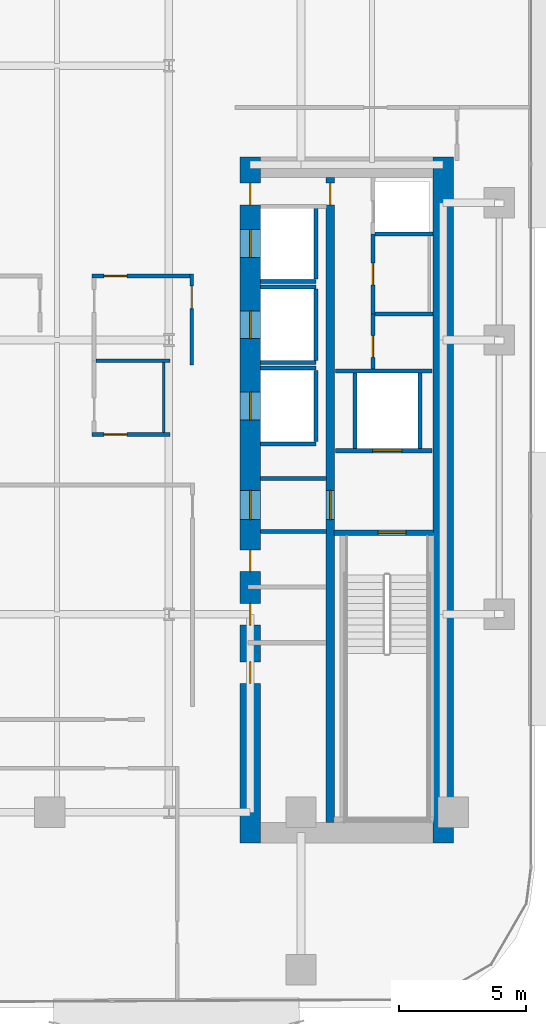
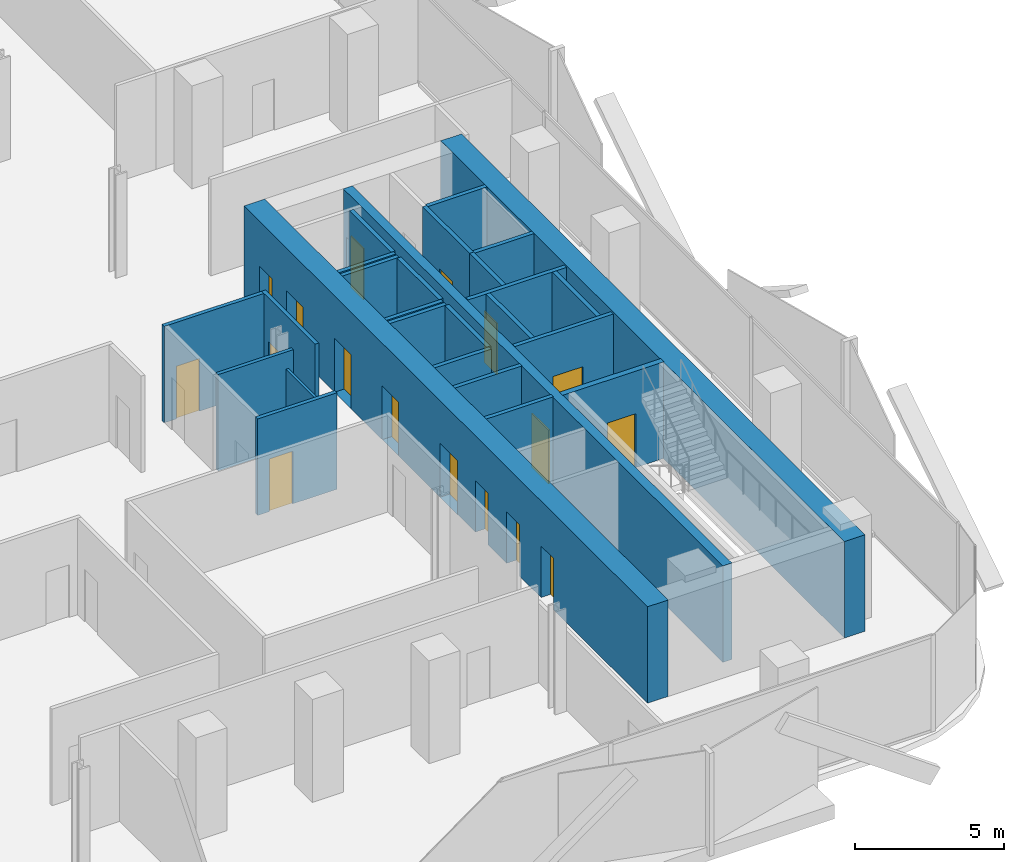
# One storey, part 5 of 15: 27 walls, 17 doors, 17 openings.
"""IFC4 building model written with IfcOpenShell, lengths in metres."""

import ifcopenshell
import ifcopenshell.guid

model = None  # the IFC model being written
_history = None  # IfcOwnerHistory: only IFC2X3 demands one
_inside = {}  # id of a spatial element -> (the spatial element, [elements in it])
_under = {}  # id of a project, library or spatial element -> (it, [spatial elements below it])
_declared = {}  # id of a project -> (the project, [libraries it declares])
_typed = {}  # id of a type object -> (the type object, [elements of that type])
_made_of = {}  # id of a material, layer set ... -> (it, [elements and type objects made of it])


def new_model(schema):
    """Start an empty IFC model of exactly this schema.

    Asked for "IFC4X3", IfcOpenShell would pick the latest addendum, in which some entities
    have other attributes; the version numbers below select the first issue.
    IFC2X3 requires an IfcOwnerHistory on every rooted entity: one is made here for all.
    """
    global model, _history
    if schema == "IFC4X3":
        model = ifcopenshell.file(schema_version=(4, 3, 0, 0))
    else:
        model = ifcopenshell.file(schema=schema)
    _inside.clear()
    _under.clear()
    _declared.clear()
    _typed.clear()
    _made_of.clear()
    _history = None
    if model.schema == "IFC2X3":
        org = make("IfcOrganization", Name="unknown")
        user = make(
            "IfcPersonAndOrganization",
            ThePerson=make("IfcPerson", FamilyName="unknown"),
            TheOrganization=org,
        )
        app = make(
            "IfcApplication",
            ApplicationDeveloper=org,
            Version="unknown",
            ApplicationFullName="unknown",
            ApplicationIdentifier="unknown",
        )
        _history = make(
            "IfcOwnerHistory",
            OwningUser=user,
            OwningApplication=app,
            ChangeAction="ADDED",
            CreationDate=0,
        )
    return model


def make(cls, **values):
    """One entity of the class cls with the attributes given. An attribute that is None is left unset."""
    return model.create_entity(
        cls, **{name: value for name, value in values.items() if value is not None}
    )


def rooted(cls, **values):
    """An entity with a GlobalId (a new one), such as an element, a storey or a relation."""
    return make(cls, GlobalId=ifcopenshell.guid.new(), OwnerHistory=_history, **values)


def si_unit(unit_type, name, prefix=None):
    """IfcSIUnit, for example si_unit("LENGTHUNIT", "METRE", prefix="MILLI")."""
    return make("IfcSIUnit", UnitType=unit_type, Prefix=prefix, Name=name)


def assignment(units):
    """IfcUnitAssignment: the units of a project."""
    return None if units is None else make("IfcUnitAssignment", Units=units)


def point(xyz):
    """IfcCartesianPoint."""
    return None if xyz is None else make("IfcCartesianPoint", Coordinates=xyz)


def direction(xyz):
    """IfcDirection."""
    return None if xyz is None else make("IfcDirection", DirectionRatios=xyz)


def frame(location, z_axis=None, x_axis=None):
    """IfcAxis2Placement3D, a coordinate frame: its origin and axes. An axis left out is left unset."""
    return make(
        "IfcAxis2Placement3D",
        Location=point(location),
        Axis=direction(z_axis),
        RefDirection=direction(x_axis),
    )


def frame_2d(location, x_axis=None):
    """IfcAxis2Placement2D, a coordinate frame in the plane: its origin and x axis."""
    return make(
        "IfcAxis2Placement2D", Location=point(location), RefDirection=direction(x_axis)
    )


def origin():
    """The frame at (0, 0, 0) with its axes left unset."""
    return frame((0.0, 0.0, 0.0))


def place(relative_to, where):
    """IfcLocalPlacement: puts the frame where relative to a parent placement (None: the world)."""
    return make(
        "IfcLocalPlacement", PlacementRelTo=relative_to, RelativePlacement=where
    )


def context(
    kind, dimensions, precision=None, world=None, true_north=None, identifier=None
):
    """IfcGeometricRepresentationContext, for example the 3D "Model" context."""
    return make(
        "IfcGeometricRepresentationContext",
        ContextIdentifier=identifier,
        ContextType=kind,
        CoordinateSpaceDimension=dimensions,
        Precision=precision,
        WorldCoordinateSystem=world,
        TrueNorth=true_north,
    )


def subcontext(parent, identifier, kind, view, scale=None):
    """IfcGeometricRepresentationSubContext, for example "Body" below "Model"."""
    return make(
        "IfcGeometricRepresentationSubContext",
        ContextIdentifier=identifier,
        ContextType=kind,
        ParentContext=parent,
        TargetScale=scale,
        TargetView=view,
    )


def project(units=None, contexts=None):
    """IfcProject with its units and contexts."""
    return rooted(
        "IfcProject",
        Name="project",
        RepresentationContexts=contexts,
        UnitsInContext=assignment(units),
    )


def spatial(cls, under=None, at=None, **own):
    """A site, building, storey or space (cls), placed at a placement, below another one or the project."""
    s = rooted(cls, ObjectPlacement=at, **own)
    if under is not None:
        _under.setdefault(under.id(), (under, []))[1].append(s)
    return s


def profile(cls, at=None, kind="AREA", **sizes):
    """A parametric profile (cls). Its sizes go by their IFC names, for example OverallWidth=200.0."""
    return make(cls, ProfileType=kind, Position=at, **sizes)


def rectangle(**sizes):
    """IfcRectangleProfileDef."""
    return profile("IfcRectangleProfileDef", **sizes)


def extrude(swept, where, along, depth):
    """IfcExtrudedAreaSolid: the profile swept, set in the frame where, extruded along a direction by depth."""
    return make(
        "IfcExtrudedAreaSolid",
        SweptArea=swept,
        Position=where,
        ExtrudedDirection=direction(along),
        Depth=depth,
    )


def shape(context_of_items, identifier, shape_type, items):
    """IfcShapeRepresentation: the items that make up one representation, for example the "Body"."""
    return make(
        "IfcShapeRepresentation",
        ContextOfItems=context_of_items,
        RepresentationIdentifier=identifier,
        RepresentationType=shape_type,
        Items=items,
    )


def material(Name=None, Category=None):
    """IfcMaterial."""
    return make("IfcMaterial", Name=Name, Category=Category)


def layer(
    of_material, thickness, ventilated=None, Name=None, Category=None, Priority=None
):
    """IfcMaterialLayer: one layer of a wall or slab, of a material (None: an air gap)."""
    return make(
        "IfcMaterialLayer",
        Material=of_material,
        LayerThickness=thickness,
        IsVentilated=ventilated,
        Name=Name,
        Category=Category,
        Priority=Priority,
    )


def layer_set(layers, Name=None):
    """IfcMaterialLayerSet."""
    return make("IfcMaterialLayerSet", MaterialLayers=layers, LayerSetName=Name)


def made_of(thing, what):
    """Note that an element or type object is made of a material, layer set ...; save() writes the relation."""
    if what is not None:
        _made_of.setdefault(what.id(), (what, []))[1].append(thing)
    return thing


def type_object(cls, material=None, **own):
    """A type object (cls), such as IfcWallType, which elements share."""
    return made_of(rooted(cls, **own), material)


def element(
    cls,
    number,
    at=None,
    inside=None,
    cuts=None,
    type_object=None,
    material=None,
    context=None,
    identifier="Body",
    shape_type=None,
    held_by="IfcProductDefinitionShape",
    body=None,
    shapes=None,
    **own,
):
    """One element of the class cls, such as IfcWall. Its Tag is "e" and its number.

    at: its placement. inside: the storey or other place that contains it. cuts: it is an
    opening in that element (IfcRelVoidsElement). A single representation is given by context,
    identifier, shape_type and body (its items); several are given by shapes. held_by: the class
    of the entity that holds the representations. save() writes the other relations.
    """
    e = rooted(cls, Tag="e%d" % number, ObjectPlacement=at, **own)
    if body is not None:
        shapes = [shape(context, identifier, shape_type, body)]
    if shapes is not None:
        e.Representation = make(held_by, Representations=shapes)
    if inside is not None:
        _inside.setdefault(inside.id(), (inside, []))[1].append(e)
    if cuts is not None:
        rooted(
            "IfcRelVoidsElement", RelatingBuildingElement=cuts, RelatedOpeningElement=e
        )
    if type_object is not None:
        _typed.setdefault(type_object.id(), (type_object, []))[1].append(e)
    return made_of(e, material)


def fill(opening, filler):
    """IfcRelFillsElement: the door or window that sits in an opening."""
    return rooted(
        "IfcRelFillsElement",
        RelatingOpeningElement=opening,
        RelatedBuildingElement=filler,
    )


def aggregate(whole, parts):
    """IfcRelAggregates: a whole, such as a stair, and the parts it consists of."""
    return rooted("IfcRelAggregates", RelatingObject=whole, RelatedObjects=parts)


def save(model, path):
    """Write the relations noted so far, then the file.

    IfcRelAggregates (storeys below a building ...), IfcRelContainedInSpatialStructure (elements
    in a storey), IfcRelDefinesByType, IfcRelAssociatesMaterial and IfcRelDeclares: one each for
    every whole, place, type object, material and project.
    """
    for whole, parts in _under.values():
        aggregate(whole, parts)
    for where, things in _inside.values():
        rooted(
            "IfcRelContainedInSpatialStructure",
            RelatedElements=things,
            RelatingStructure=where,
        )
    for kind, things in _typed.values():
        rooted("IfcRelDefinesByType", RelatedObjects=things, RelatingType=kind)
    for what, things in _made_of.values():
        rooted("IfcRelAssociatesMaterial", RelatedObjects=things, RelatingMaterial=what)
    for by, libraries in _declared.values():
        rooted("IfcRelDeclares", RelatingContext=by, RelatedDefinitions=libraries)
    model.write(path)


model = new_model("IFC4")

# Units and contexts
model_context = context("Model", 3, precision=1e-05, world=origin(), true_north=direction((0.0, 1.0)))
body_context = subcontext(model_context, "Body", "Model", "MODEL_VIEW")
ifc_project = project(units=[si_unit("LENGTHUNIT", "METRE"), si_unit("AREAUNIT", "SQUARE_METRE"), si_unit("VOLUMEUNIT", "CUBIC_METRE"), si_unit("PLANEANGLEUNIT", "RADIAN"), si_unit("MASSUNIT", "GRAM", prefix="KILO")], contexts=[model_context])

# Site, building, storey
site_placement = place(None, origin())
site = spatial("IfcSite", under=ifc_project, at=site_placement, CompositionType="ELEMENT")
building_placement = place(site_placement, origin())
building = spatial("IfcBuilding", under=site, at=building_placement, Name="Khairoan Windgate Tower", CompositionType="ELEMENT")
storey_placement = place(building_placement, frame((0.0, 0.0, 131.0)))
storey = spatial("IfcBuildingStorey", under=building, at=storey_placement, Name="L30", CompositionType="ELEMENT", Elevation=131.0)

# Walls
ifc_material_1 = material(Name="Moisture-Resistant Gypsum Partition", Category="gypsum")
ifc_layer_1 = layer(ifc_material_1, 0.10009765625, Name="Moisture-Resistant Gypsum Partition")
ifc_layer_set_1 = layer_set([ifc_layer_1], Name="Moisture-Resistant Gypsum Partition")
wall_type_1 = type_object("IfcWallType", Name="Bathroom Wet-Area Partition Wall", PredefinedType="PARTITIONING", material=ifc_layer_set_1)
wall_1_placement = place(storey_placement, frame((9.0, -0.889892578125, 0.0), z_axis=(0.0, 0.0, 1.0), x_axis=(0.0, -1.0, 0.0)))
element("IfcWall", 1, at=wall_1_placement, inside=storey, type_object=wall_type_1, Name="L30 Wet Room Side Wall 052", PredefinedType="PARTITIONING", context=body_context, shape_type="SweptSolid", body=[
    extrude(rectangle(XDim=2.755126953125, YDim=0.10009765625, at=frame_2d((1.37744140625, 0.0))), origin(), (0.0, 0.0, 1.0), 3.239990234375),
])
ifc_material_2 = material(Name="Concrete C40/50", Category="concrete")
ifc_layer_2 = layer(ifc_material_2, 0.159912109375, Name="Concrete C40/50")
ifc_layer_set_2 = layer_set([ifc_layer_2], Name="Concrete C40/50")
wall_type_2 = type_object("IfcWallType", Name="Core and Hoistway Enclosure Wall", PredefinedType="STANDARD", material=ifc_layer_set_2)
wall_2_placement = place(storey_placement, frame((12.800048828125, 2.31005859375, 0.0), z_axis=(0.0, 0.0, 1.0), x_axis=(1.0, 0.0, 0.0)))
element("IfcWall", 2, at=wall_2_placement, inside=storey, type_object=wall_type_2, Name="L30 Lift PL7 Hoistway Divider S", PredefinedType="STANDARD", context=body_context, shape_type="SweptSolid", body=[
    extrude(rectangle(XDim=2.18994140625, YDim=0.159912109375, at=frame_2d((1.094970703125, 0.0))), origin(), (0.0, 0.0, 1.0), 3.93994140625),
])
wall_3_placement = place(storey_placement, frame((14.989990234375, 2.39990234375, 0.0), z_axis=(0.0, 0.0, 1.0), x_axis=(0.0, 1.0, 0.0)))
element("IfcWall", 3, at=wall_3_placement, inside=storey, type_object=wall_type_2, Name="L30 Lift PL7 Hoistway Back Wall", PredefinedType="STANDARD", context=body_context, shape_type="SweptSolid", body=[
    extrude(rectangle(XDim=2.800048828125, YDim=0.159912109375, at=frame_2d((1.39990234375, 0.0))), origin(), (0.0, 0.0, 1.0), 3.93994140625),
])
for number, where, z_axis, x_axis, name in (
    (4, (12.800048828125, -0.889892578125, 0.0), (0.0, 0.0, 1.0), (1.0, 0.0, 0.0), "L30 Lift PL8 Hoistway Divider S"),
    (5, (12.800048828125, 2.090087890625, 0.0), (0.0, 0.0, 1.0), (1.0, 0.0, 0.0), "L30 Lift PL8 Hoistway Divider N"),
):
    element("IfcWall", number, at=place(storey_placement, frame(where, z_axis=z_axis, x_axis=x_axis)), inside=storey, type_object=wall_type_2, Name=name, PredefinedType="STANDARD", context=body_context, shape_type="SweptSolid", body=[
        extrude(rectangle(XDim=2.18994140625, YDim=0.159912109375, at=frame_2d((1.094970703125, 0.0))), origin(), (0.0, 0.0, 1.0), 3.93994140625),
    ])
wall_4_placement = place(storey_placement, frame((14.989990234375, -0.800048828125, 0.0), z_axis=(0.0, 0.0, 1.0), x_axis=(0.0, 1.0, 0.0)))
element("IfcWall", 6, at=wall_4_placement, inside=storey, type_object=wall_type_2, Name="L30 Lift PL8 Hoistway Back Wall", PredefinedType="STANDARD", context=body_context, shape_type="SweptSolid", body=[
    extrude(rectangle(XDim=2.800048828125, YDim=0.159912109375, at=frame_2d((1.39990234375, 0.0))), origin(), (0.0, 0.0, 1.0), 3.93994140625),
])
for number, where, z_axis, x_axis, name in (
    (7, (12.800048828125, -4.090087890625, 0.0), (0.0, 0.0, 1.0), (1.0, 0.0, 0.0), "L30 Lift PL9 Hoistway Divider S"),
    (8, (12.800048828125, -1.110107421875, 0.0), (0.0, 0.0, 1.0), (1.0, 0.0, 0.0), "L30 Lift PL9 Hoistway Divider N"),
):
    element("IfcWall", number, at=place(storey_placement, frame(where, z_axis=z_axis, x_axis=x_axis)), inside=storey, type_object=wall_type_2, Name=name, PredefinedType="STANDARD", context=body_context, shape_type="SweptSolid", body=[
        extrude(rectangle(XDim=2.18994140625, YDim=0.159912109375, at=frame_2d((1.094970703125, 0.0))), origin(), (0.0, 0.0, 1.0), 3.93994140625),
    ])
wall_5_placement = place(storey_placement, frame((14.989990234375, -4.0, 0.0), z_axis=(0.0, 0.0, 1.0), x_axis=(0.0, 1.0, 0.0)))
element("IfcWall", 9, at=wall_5_placement, inside=storey, type_object=wall_type_2, Name="L30 Lift PL9 Hoistway Back Wall", PredefinedType="STANDARD", context=body_context, shape_type="SweptSolid", body=[
    extrude(rectangle(XDim=2.800048828125, YDim=0.159912109375, at=frame_2d((1.39990234375, 0.0))), origin(), (0.0, 0.0, 1.0), 3.93994140625),
])

# Wall, opening, door
wall_6_placement = place(storey_placement, frame((15.75, -4.360107421875, 0.0), z_axis=(0.0, 0.0, 1.0), x_axis=(1.0, 0.0, 0.0)))
wall_6 = element("IfcWall", 10, at=wall_6_placement, inside=storey, type_object=wall_type_2, Name="L30 Core Shaft Wall SW-FL1-L30", PredefinedType="STANDARD", context=body_context, shape_type="SweptSolid", body=[
    extrude(rectangle(XDim=3.800048828125, YDim=0.159912109375, at=frame_2d((1.89990234375, 0.0))), origin(), (0.0, 0.0, 1.0), 3.93994140625),
])
opening_1_placement = place(wall_6_placement, frame((1.469970703125, 0.0, 0.0)))
opening_1 = element("IfcOpeningElement", 11, at=opening_1_placement, cuts=wall_6, Name="Opening LD-FL", PredefinedType="OPENING", context=body_context, shape_type="SweptSolid", body=[
    extrude(rectangle(XDim=1.14990234375, YDim=2.199951171875, at=frame_2d((0.574951171875, 1.10009765625))), frame((0.0, 0.08984375, 0.0), z_axis=(0.0, -1.0, 0.0), x_axis=(1.0, 0.0, 0.0)), (0.0, 0.0, 1.0), 0.179931640625),
])
ifc_material_3 = material(Name="Steel S355", Category="steel")
door_type_1 = type_object("IfcDoorType", Name="Firefighting Lift Sliding Landing Door LD-FL 1150x2200", OperationType="DOUBLE_DOOR_SLIDING", PredefinedType="DOOR", material=ifc_material_3)
door_1_placement = place(opening_1_placement, origin())
door_1 = element("IfcDoor", 12, at=door_1_placement, inside=storey, type_object=door_type_1, Name="L30 Firefighting Lift FL1 Landing Door", OperationType="DOUBLE_DOOR_SLIDING", OverallHeight=2.199951171875, OverallWidth=1.14990234375, PredefinedType="DOOR", context=body_context, shape_type="SweptSolid", body=[
    extrude(rectangle(XDim=1.14990234375, YDim=2.199951171875, at=frame_2d((0.574951171875, 1.10009765625))), frame((0.0, 0.02490234375, 0.0), z_axis=(0.0, -1.0, 0.0), x_axis=(1.0, 0.0, 0.0)), (0.0, 0.0, 1.0), 0.050048828125),
])
fill(opening_1, door_1)

# Walls
wall_7_placement = place(storey_placement, frame((15.75, -1.219970703125, 0.0), z_axis=(0.0, 0.0, 1.0), x_axis=(1.0, 0.0, 0.0)))
element("IfcWall", 13, at=wall_7_placement, inside=storey, type_object=wall_type_2, Name="L30 Core Shaft Wall SW-FL1T-L30", PredefinedType="STANDARD", context=body_context, shape_type="SweptSolid", body=[
    extrude(rectangle(XDim=3.800048828125, YDim=0.159912109375, at=frame_2d((1.89990234375, 0.0))), origin(), (0.0, 0.0, 1.0), 3.93994140625),
])
for number, where, z_axis, x_axis, name in (
    (14, (16.52001953125, -4.280029296875, 0.0), (0.0, 0.0, 1.0), (0.0, 1.0, 0.0), "L30 Core Shaft Wall SW-FL1W-L30"),
    (15, (19.080078125, -4.280029296875, 0.0), (0.0, 0.0, 1.0), (0.0, 1.0, 0.0), "L30 Core Shaft Wall SW-FL1E-L30"),
):
    element("IfcWall", number, at=place(storey_placement, frame(where, z_axis=z_axis, x_axis=x_axis)), inside=storey, type_object=wall_type_2, Name=name, PredefinedType="STANDARD", context=body_context, shape_type="SweptSolid", body=[
        extrude(rectangle(XDim=2.97998046875, YDim=0.159912109375, at=frame_2d((1.489990234375, 0.0))), origin(), (0.0, 0.0, 1.0), 3.93994140625),
    ])
for number, where, z_axis, x_axis, name in (
    (16, (12.800048828125, -5.449951171875, 0.0), (0.0, 0.0, 1.0), (1.0, 0.0, 0.0), "L30 Core Shaft Wall SW-EV1-L30"),
    (17, (12.800048828125, -7.5400390625, 0.0), (0.0, 0.0, 1.0), (1.0, 0.0, 0.0), "L30 Core Shaft Wall SW-EV2-L30"),
):
    element("IfcWall", number, at=place(storey_placement, frame(where, z_axis=z_axis, x_axis=x_axis)), inside=storey, type_object=wall_type_2, Name=name, PredefinedType="STANDARD", context=body_context, shape_type="SweptSolid", body=[
        extrude(rectangle(XDim=2.599853515625, YDim=0.159912109375, at=frame_2d((1.2998046875, 0.0))), origin(), (0.0, 0.0, 1.0), 3.93994140625),
    ])
ifc_material_4 = material(Name="Acoustic Fire-Rated Gypsum Partition", Category="gypsum")
ifc_layer_3 = layer(ifc_material_4, 0.139892578125, Name="Acoustic Fire-Rated Gypsum Partition")
ifc_layer_set_3 = layer_set([ifc_layer_3], Name="Acoustic Fire-Rated Gypsum Partition")
wall_type_3 = type_object("IfcWallType", Name="Inter-Tenancy Compartment Wall", PredefinedType="PARTITIONING", material=ifc_layer_set_3)
wall_8_placement = place(storey_placement, frame((6.330078125, -0.820068359375, 0.0), z_axis=(0.0, 0.0, 1.0), x_axis=(1.0, 0.0, 0.0)))
element("IfcWall", 18, at=wall_8_placement, inside=storey, type_object=wall_type_3, Name="L30 Interior Partition 048", PredefinedType="PARTITIONING", context=body_context, shape_type="SweptSolid", body=[
    extrude(rectangle(XDim=2.909912109375, YDim=0.139892578125, at=frame_2d((1.455078125, 0.0))), origin(), (0.0, 0.0, 1.0), 3.93994140625),
])

# Wall, opening, door
ifc_material_5 = material(Name="Concrete C40/50", Category="concrete")
ifc_layer_4 = layer(ifc_material_5, 0.159912109375, Name="Concrete C40/50")
ifc_layer_set_4 = layer_set([ifc_layer_4], Name="Concrete C40/50")
wall_type_4 = type_object("IfcWallType", Name="Plant and Refuge Compartment Wall", PredefinedType="PARTITIONING", material=ifc_layer_set_4)
wall_9_placement = place(storey_placement, frame((17.22998046875, -1.139892578125, 0.0), z_axis=(0.0, 0.0, 1.0), x_axis=(0.0, 1.0, 0.0)))
wall_9 = element("IfcWall", 19, at=wall_9_placement, inside=storey, type_object=wall_type_4, Name="L30 Interior Partition 008", PredefinedType="PARTITIONING", context=body_context, shape_type="SweptSolid", body=[
    extrude(rectangle(XDim=2.169921875, YDim=0.159912109375, at=frame_2d((1.0849609375, 0.0))), origin(), (0.0, 0.0, 1.0), 3.93994140625),
])
opening_2_placement = place(wall_9_placement, frame((0.4599609375, 0.0, 0.0)))
opening_2 = element("IfcOpeningElement", 20, at=opening_2_placement, cuts=wall_9, Name="Opening FD-SRV", PredefinedType="OPENING", context=body_context, shape_type="SweptSolid", body=[
    extrude(rectangle(XDim=0.85009765625, YDim=2.10009765625, at=frame_2d((0.425048828125, 1.050048828125))), frame((0.0, 0.08984375, 0.0), z_axis=(0.0, -1.0, 0.0), x_axis=(1.0, 0.0, 0.0)), (0.0, 0.0, 1.0), 0.179931640625),
])
ifc_material_6 = material(Name="Steel S355", Category="steel")
door_type_2 = type_object("IfcDoorType", Name="Core Service and Riser Fire Door FD-SRV 850x2100", OperationType="NOTDEFINED", PredefinedType="DOOR", material=ifc_material_6)
door_2_placement = place(opening_2_placement, origin())
door_2 = element("IfcDoor", 21, at=door_2_placement, inside=storey, type_object=door_type_2, Name="L30 L30-18-L30-20 Door", OperationType="SINGLE_SWING_RIGHT", OverallHeight=2.10009765625, OverallWidth=0.85009765625, PredefinedType="DOOR", context=body_context, shape_type="SweptSolid", body=[
    extrude(rectangle(XDim=0.85009765625, YDim=2.10009765625, at=frame_2d((0.425048828125, 1.050048828125))), frame((0.0, 0.02490234375, 0.0), z_axis=(0.0, -1.0, 0.0), x_axis=(1.0, 0.0, 0.0)), (0.0, 0.0, 1.0), 0.050048828125),
])
fill(opening_2, door_2)

wall_10_placement = place(storey_placement, frame((17.22998046875, 1.030029296875, 0.0), z_axis=(0.0, 0.0, 1.0), x_axis=(0.0, 1.0, 0.0)))
wall_10 = element("IfcWall", 22, at=wall_10_placement, inside=storey, type_object=wall_type_4, Name="L30 Interior Partition 009", PredefinedType="PARTITIONING", context=body_context, shape_type="SweptSolid", body=[
    extrude(rectangle(XDim=3.139892578125, YDim=0.159912109375, at=frame_2d((1.56982421875, 0.0))), origin(), (0.0, 0.0, 1.0), 3.93994140625),
])
opening_3_placement = place(wall_10_placement, frame((1.14501953125, 0.0, 0.0)))
opening_3 = element("IfcOpeningElement", 23, at=opening_3_placement, cuts=wall_10, Name="Opening FD-SRV", PredefinedType="OPENING", context=body_context, shape_type="SweptSolid", body=[
    extrude(rectangle(XDim=0.85009765625, YDim=2.10009765625, at=frame_2d((0.425048828125, 1.050048828125))), frame((0.0, 0.08984375, 0.0), z_axis=(0.0, -1.0, 0.0), x_axis=(1.0, 0.0, 0.0)), (0.0, 0.0, 1.0), 0.179931640625),
])
door_3_placement = place(opening_3_placement, origin())
door_3 = element("IfcDoor", 24, at=door_3_placement, inside=storey, type_object=door_type_2, Name="L30 L30-18-L30-21 Door", OperationType="SINGLE_SWING_LEFT", OverallHeight=2.10009765625, OverallWidth=0.85009765625, PredefinedType="DOOR", context=body_context, shape_type="SweptSolid", body=[
    extrude(rectangle(XDim=0.85009765625, YDim=2.10009765625, at=frame_2d((0.425048828125, 1.050048828125))), frame((0.0, 0.02490234375, 0.0), z_axis=(0.0, -1.0, 0.0), x_axis=(1.0, 0.0, 0.0)), (0.0, 0.0, 1.0), 0.050048828125),
])
fill(opening_3, door_3)

# Walls
for number, where, z_axis, x_axis, name in (
    (25, (17.31005859375, 4.169921875, 0.0), (0.0, 0.0, 1.0), (1.0, 0.0, 0.0), "L30 Interior Partition 010"),
    (26, (17.31005859375, 1.030029296875, 0.0), (0.0, 0.0, 1.0), (1.0, 0.0, 0.0), "L30 Interior Partition 011"),
):
    element("IfcWall", number, at=place(storey_placement, frame(where, z_axis=z_axis, x_axis=x_axis)), inside=storey, type_object=wall_type_4, Name=name, PredefinedType="PARTITIONING", context=body_context, shape_type="SweptSolid", body=[
        extrude(rectangle(XDim=2.2900390625, YDim=0.159912109375, at=frame_2d((1.14501953125, 0.0))), origin(), (0.0, 0.0, 1.0), 3.93994140625),
    ])

# Wall, opening, door
ifc_material_7 = material(Name="Acoustic Fire-Rated Gypsum Partition", Category="gypsum")
ifc_layer_5 = layer(ifc_material_7, 0.14990234375, Name="Acoustic Fire-Rated Gypsum Partition")
ifc_layer_set_5 = layer_set([ifc_layer_5], Name="Acoustic Fire-Rated Gypsum Partition")
wall_type_5 = type_object("IfcWallType", Name="Rated Corridor Partition Wall", PredefinedType="PARTITIONING", material=ifc_layer_set_5)
wall_11_placement = place(storey_placement, frame((10.10009765625, -0.97998046875, 0.0), z_axis=(0.0, 0.0, 1.0), x_axis=(0.0, 1.0, 0.0)))
wall_11 = element("IfcWall", 27, at=wall_11_placement, inside=storey, type_object=wall_type_5, Name="L30 Interior Partition 018", PredefinedType="PARTITIONING", context=body_context, shape_type="SweptSolid", body=[
    extrude(rectangle(XDim=3.574951171875, YDim=0.14990234375, at=frame_2d((1.78759765625, 0.0))), origin(), (0.0, 0.0, 1.0), 3.93994140625),
])
opening_4_placement = place(wall_11_placement, frame((2.215087890625, 0.0, 0.0)))
opening_4 = element("IfcOpeningElement", 28, at=opening_4_placement, cuts=wall_11, Name="Opening FD-ENT", PredefinedType="OPENING", context=body_context, shape_type="SweptSolid", body=[
    extrude(rectangle(XDim=0.89990234375, YDim=2.14990234375, at=frame_2d((0.449951171875, 1.074951171875))), frame((0.0, 0.0849609375, 0.0), z_axis=(0.0, -1.0, 0.0), x_axis=(1.0, 0.0, 0.0)), (0.0, 0.0, 1.0), 0.169921875),
])
ifc_material_8 = material(Name="Timber Fire-Rated Core", Category="wood")
door_type_3 = type_object("IfcDoorType", Name="Unit and Office Fire Entrance Door FD-ENT 900x2150", OperationType="NOTDEFINED", PredefinedType="DOOR", material=ifc_material_8)
door_4_placement = place(opening_4_placement, origin())
door_4 = element("IfcDoor", 29, at=door_4_placement, inside=storey, type_object=door_type_3, Name="L30 L30-31-L30-50 Door", OperationType="SINGLE_SWING_RIGHT", OverallHeight=2.14990234375, OverallWidth=0.89990234375, PredefinedType="DOOR", context=body_context, shape_type="SweptSolid", body=[
    extrude(rectangle(XDim=0.89990234375, YDim=2.14990234375, at=frame_2d((0.449951171875, 1.074951171875))), frame((0.0, 0.02490234375, 0.0), z_axis=(0.0, -1.0, 0.0), x_axis=(1.0, 0.0, 0.0)), (0.0, 0.0, 1.0), 0.050048828125),
])
fill(opening_4, door_4)

wall_12_placement = place(storey_placement, frame((6.179931640625, 2.52001953125, 0.0), z_axis=(0.0, 0.0, 1.0), x_axis=(1.0, 0.0, 0.0)))
wall_12 = element("IfcWall", 30, at=wall_12_placement, inside=storey, type_object=wall_type_5, Name="L30 Interior Partition 020", PredefinedType="PARTITIONING", context=body_context, shape_type="SweptSolid", body=[
    extrude(rectangle(XDim=3.844970703125, YDim=0.14990234375, at=frame_2d((1.92236328125, 0.0))), origin(), (0.0, 0.0, 1.0), 3.93994140625),
])
opening_5_placement = place(wall_12_placement, frame((0.4599609375, 0.0, 0.0)))
opening_5 = element("IfcOpeningElement", 31, at=opening_5_placement, cuts=wall_12, Name="Opening FD-ENT", PredefinedType="OPENING", context=body_context, shape_type="SweptSolid", body=[
    extrude(rectangle(XDim=0.89990234375, YDim=2.14990234375, at=frame_2d((0.449951171875, 1.074951171875))), frame((0.0, 0.0849609375, 0.0), z_axis=(0.0, -1.0, 0.0), x_axis=(1.0, 0.0, 0.0)), (0.0, 0.0, 1.0), 0.169921875),
])
door_5_placement = place(opening_5_placement, origin())
door_5 = element("IfcDoor", 32, at=door_5_placement, inside=storey, type_object=door_type_3, Name="L30 L30-32-L30-50 Door", OperationType="SINGLE_SWING_RIGHT", OverallHeight=2.14990234375, OverallWidth=0.89990234375, PredefinedType="DOOR", context=body_context, shape_type="SweptSolid", body=[
    extrude(rectangle(XDim=0.89990234375, YDim=2.14990234375, at=frame_2d((0.449951171875, 1.074951171875))), frame((0.0, 0.02490234375, 0.0), z_axis=(0.0, -1.0, 0.0), x_axis=(1.0, 0.0, 0.0)), (0.0, 0.0, 1.0), 0.050048828125),
])
fill(opening_5, door_5)

wall_13_placement = place(storey_placement, frame((6.179931640625, -3.719970703125, 0.0), z_axis=(0.0, 0.0, 1.0), x_axis=(1.0, 0.0, 0.0)))
wall_13 = element("IfcWall", 33, at=wall_13_placement, inside=storey, type_object=wall_type_5, Name="L30 Interior Partition 022", PredefinedType="PARTITIONING", context=body_context, shape_type="SweptSolid", body=[
    extrude(rectangle(XDim=3.06005859375, YDim=0.14990234375, at=frame_2d((1.530029296875, 0.0))), origin(), (0.0, 0.0, 1.0), 3.93994140625),
])
opening_6_placement = place(wall_13_placement, frame((0.4599609375, 0.0, 0.0)))
opening_6 = element("IfcOpeningElement", 34, at=opening_6_placement, cuts=wall_13, Name="Opening FD-ENT", PredefinedType="OPENING", context=body_context, shape_type="SweptSolid", body=[
    extrude(rectangle(XDim=0.89990234375, YDim=2.14990234375, at=frame_2d((0.449951171875, 1.074951171875))), frame((0.0, 0.0849609375, 0.0), z_axis=(0.0, -1.0, 0.0), x_axis=(1.0, 0.0, 0.0)), (0.0, 0.0, 1.0), 0.169921875),
])
door_6_placement = place(opening_6_placement, origin())
door_6 = element("IfcDoor", 35, at=door_6_placement, inside=storey, type_object=door_type_3, Name="L30 L30-33-L30-49 Door", OperationType="SINGLE_SWING_RIGHT", OverallHeight=2.14990234375, OverallWidth=0.89990234375, PredefinedType="DOOR", context=body_context, shape_type="SweptSolid", body=[
    extrude(rectangle(XDim=0.89990234375, YDim=2.14990234375, at=frame_2d((0.449951171875, 1.074951171875))), frame((0.0, 0.02490234375, 0.0), z_axis=(0.0, -1.0, 0.0), x_axis=(1.0, 0.0, 0.0)), (0.0, 0.0, 1.0), 0.050048828125),
])
fill(opening_6, door_6)

# Wall, openings, doors
ifc_material_9 = material(Name="Concrete C70/85", Category="concrete")
ifc_layer_6 = layer(ifc_material_9, 0.800048828125, Name="Concrete C70/85")
ifc_layer_set_6 = layer_set([ifc_layer_6], Name="Concrete C70/85")
wall_type_6 = type_object("IfcWallType", Name="Shear Wall CW-E1 800mm", PredefinedType="SHEAR", material=ifc_layer_set_6)
wall_14_placement = place(storey_placement, frame((12.39990234375, -19.800048828125, 0.0), z_axis=(0.0, 0.0, 1.0), x_axis=(0.0, 1.0, 0.0)))
wall_14 = element("IfcWall", 36, at=wall_14_placement, inside=storey, type_object=wall_type_6, Name="E Core West Shear Wall L30", PredefinedType="SHEAR", context=body_context, shape_type="SweptSolid", body=[
    extrude(rectangle(XDim=27.0, YDim=0.800048828125, at=frame_2d((13.5, 0.0))), origin(), (0.0, 0.0, 1.0), 3.93994140625),
])
opening_7_placement = place(wall_14_placement, frame((23.050048828125, 0.0, 0.0)))
opening_7 = element("IfcOpeningElement", 37, at=opening_7_placement, cuts=wall_14, Name="Opening LD-PL", PredefinedType="OPENING", context=body_context, shape_type="SweptSolid", body=[
    extrude(rectangle(XDim=1.10009765625, YDim=2.199951171875, at=frame_2d((0.550048828125, 1.10009765625))), frame((0.0, 0.409912109375, 0.0), z_axis=(0.0, -1.0, 0.0), x_axis=(1.0, 0.0, 0.0)), (0.0, 0.0, 1.0), 0.820068359375),
])
opening_8_placement = place(wall_14_placement, frame((19.85009765625, 0.0, 0.0)))
opening_8 = element("IfcOpeningElement", 38, at=opening_8_placement, cuts=wall_14, Name="Opening LD-PL", PredefinedType="OPENING", context=body_context, shape_type="SweptSolid", body=[
    extrude(rectangle(XDim=1.10009765625, YDim=2.199951171875, at=frame_2d((0.550048828125, 1.10009765625))), frame((0.0, 0.409912109375, 0.0), z_axis=(0.0, -1.0, 0.0), x_axis=(1.0, 0.0, 0.0)), (0.0, 0.0, 1.0), 0.820068359375),
])
opening_9_placement = place(wall_14_placement, frame((16.64990234375, 0.0, 0.0)))
opening_9 = element("IfcOpeningElement", 39, at=opening_9_placement, cuts=wall_14, Name="Opening LD-PL", PredefinedType="OPENING", context=body_context, shape_type="SweptSolid", body=[
    extrude(rectangle(XDim=1.10009765625, YDim=2.199951171875, at=frame_2d((0.550048828125, 1.10009765625))), frame((0.0, 0.409912109375, 0.0), z_axis=(0.0, -1.0, 0.0), x_axis=(1.0, 0.0, 0.0)), (0.0, 0.0, 1.0), 0.820068359375),
])
opening_10_placement = place(wall_14_placement, frame((6.27490234375, 0.0, 0.0)))
opening_10 = element("IfcOpeningElement", 40, at=opening_10_placement, cuts=wall_14, Name="Opening FD-SRV", PredefinedType="OPENING", context=body_context, shape_type="SweptSolid", body=[
    extrude(rectangle(XDim=0.85009765625, YDim=2.10009765625, at=frame_2d((0.425048828125, 1.050048828125))), frame((0.0, 0.409912109375, 0.0), z_axis=(0.0, -1.0, 0.0), x_axis=(1.0, 0.0, 0.0)), (0.0, 0.0, 1.0), 0.820068359375),
])
opening_11_placement = place(wall_14_placement, frame((8.574951171875, 0.0, 0.0)))
opening_11 = element("IfcOpeningElement", 41, at=opening_11_placement, cuts=wall_14, Name="Opening FD-SRV", PredefinedType="OPENING", context=body_context, shape_type="SweptSolid", body=[
    extrude(rectangle(XDim=0.85009765625, YDim=2.10009765625, at=frame_2d((0.425048828125, 1.050048828125))), frame((0.0, 0.409912109375, 0.0), z_axis=(0.0, -1.0, 0.0), x_axis=(1.0, 0.0, 0.0)), (0.0, 0.0, 1.0), 0.820068359375),
])
opening_12_placement = place(wall_14_placement, frame((10.675048828125, 0.0, 0.0)))
opening_12 = element("IfcOpeningElement", 42, at=opening_12_placement, cuts=wall_14, Name="Opening FD-SRV", PredefinedType="OPENING", context=body_context, shape_type="SweptSolid", body=[
    extrude(rectangle(XDim=0.85009765625, YDim=2.10009765625, at=frame_2d((0.425048828125, 1.050048828125))), frame((0.0, 0.409912109375, 0.0), z_axis=(0.0, -1.0, 0.0), x_axis=(1.0, 0.0, 0.0)), (0.0, 0.0, 1.0), 0.820068359375),
])
opening_13_placement = place(wall_14_placement, frame((12.72509765625, 0.0, 0.0)))
opening_13 = element("IfcOpeningElement", 43, at=opening_13_placement, cuts=wall_14, Name="Opening FD-FFL", PredefinedType="OPENING", context=body_context, shape_type="SweptSolid", body=[
    extrude(rectangle(XDim=1.14990234375, YDim=2.199951171875, at=frame_2d((0.574951171875, 1.10009765625))), frame((0.0, 0.409912109375, 0.0), z_axis=(0.0, -1.0, 0.0), x_axis=(1.0, 0.0, 0.0)), (0.0, 0.0, 1.0), 0.820068359375),
])
opening_14_placement = place(wall_14_placement, frame((25.125, 0.0, 0.0)))
opening_14 = element("IfcOpeningElement", 44, at=opening_14_placement, cuts=wall_14, Name="Opening FD-SRV", PredefinedType="OPENING", context=body_context, shape_type="SweptSolid", body=[
    extrude(rectangle(XDim=0.85009765625, YDim=2.10009765625, at=frame_2d((0.425048828125, 1.050048828125))), frame((0.0, 0.409912109375, 0.0), z_axis=(0.0, -1.0, 0.0), x_axis=(1.0, 0.0, 0.0)), (0.0, 0.0, 1.0), 0.820068359375),
])
door_7_placement = place(opening_10_placement, origin())
door_7 = element("IfcDoor", 45, at=door_7_placement, inside=storey, type_object=door_type_2, Name="L30 East Core Service Room Door 1", OperationType="SINGLE_SWING_LEFT", OverallHeight=2.10009765625, OverallWidth=0.85009765625, PredefinedType="DOOR", context=body_context, shape_type="SweptSolid", body=[
    extrude(rectangle(XDim=0.85009765625, YDim=2.10009765625, at=frame_2d((0.425048828125, 1.050048828125))), frame((0.0, 0.02490234375, 0.0), z_axis=(0.0, -1.0, 0.0), x_axis=(1.0, 0.0, 0.0)), (0.0, 0.0, 1.0), 0.050048828125),
])
fill(opening_10, door_7)
door_8_placement = place(opening_11_placement, origin())
door_8 = element("IfcDoor", 46, at=door_8_placement, inside=storey, type_object=door_type_2, Name="L30 East Core Service Room Door 2", OperationType="SINGLE_SWING_RIGHT", OverallHeight=2.10009765625, OverallWidth=0.85009765625, PredefinedType="DOOR", context=body_context, shape_type="SweptSolid", body=[
    extrude(rectangle(XDim=0.85009765625, YDim=2.10009765625, at=frame_2d((0.425048828125, 1.050048828125))), frame((0.0, 0.02490234375, 0.0), z_axis=(0.0, -1.0, 0.0), x_axis=(1.0, 0.0, 0.0)), (0.0, 0.0, 1.0), 0.050048828125),
])
fill(opening_11, door_8)
door_9_placement = place(opening_12_placement, origin())
door_9 = element("IfcDoor", 47, at=door_9_placement, inside=storey, type_object=door_type_2, Name="L30 East Core Service Room Door 3", OperationType="SINGLE_SWING_LEFT", OverallHeight=2.10009765625, OverallWidth=0.85009765625, PredefinedType="DOOR", context=body_context, shape_type="SweptSolid", body=[
    extrude(rectangle(XDim=0.85009765625, YDim=2.10009765625, at=frame_2d((0.425048828125, 1.050048828125))), frame((0.0, 0.02490234375, 0.0), z_axis=(0.0, -1.0, 0.0), x_axis=(1.0, 0.0, 0.0)), (0.0, 0.0, 1.0), 0.050048828125),
])
fill(opening_12, door_9)
door_10_placement = place(opening_14_placement, origin())
door_10 = element("IfcDoor", 48, at=door_10_placement, inside=storey, type_object=door_type_2, Name="L30 East Core Service Vestibule Outer Door", OperationType="SINGLE_SWING_RIGHT", OverallHeight=2.10009765625, OverallWidth=0.85009765625, PredefinedType="DOOR", context=body_context, shape_type="SweptSolid", body=[
    extrude(rectangle(XDim=0.85009765625, YDim=2.10009765625, at=frame_2d((0.425048828125, 1.050048828125))), frame((0.0, 0.02490234375, 0.0), z_axis=(0.0, -1.0, 0.0), x_axis=(1.0, 0.0, 0.0)), (0.0, 0.0, 1.0), 0.050048828125),
])
fill(opening_14, door_10)
ifc_material_10 = material(Name="Steel S355", Category="steel")
door_type_4 = type_object("IfcDoorType", Name="Firefighting Lobby Fire Door FD-FFL 1150x2200", OperationType="NOTDEFINED", PredefinedType="DOOR", material=ifc_material_10)
door_11_placement = place(opening_13_placement, origin())
door_11 = element("IfcDoor", 49, at=door_11_placement, inside=storey, type_object=door_type_4, Name="L30 East Core Vestibule Entry Door", OperationType="SINGLE_SWING_RIGHT", OverallHeight=2.199951171875, OverallWidth=1.14990234375, PredefinedType="DOOR", context=body_context, shape_type="SweptSolid", body=[
    extrude(rectangle(XDim=1.14990234375, YDim=2.199951171875, at=frame_2d((0.574951171875, 1.10009765625))), frame((0.0, 0.02490234375, 0.0), z_axis=(0.0, -1.0, 0.0), x_axis=(1.0, 0.0, 0.0)), (0.0, 0.0, 1.0), 0.050048828125),
])
fill(opening_13, door_11)
ifc_material_11 = material(Name="Anodised Bronze Aluminium 6063-T6", Category="aluminium")
door_type_5 = type_object("IfcDoorType", Name="Passenger Lift Sliding Landing Door LD-PL 1100x2200", OperationType="DOUBLE_DOOR_SLIDING", PredefinedType="DOOR", material=ifc_material_11)
door_12_placement = place(opening_7_placement, origin())
door_12 = element("IfcDoor", 50, at=door_12_placement, inside=storey, type_object=door_type_5, Name="L30 Lift PL7 Sliding Landing Door", OperationType="DOUBLE_DOOR_SLIDING", OverallHeight=2.199951171875, OverallWidth=1.10009765625, PredefinedType="DOOR", context=body_context, shape_type="SweptSolid", body=[
    extrude(rectangle(XDim=1.10009765625, YDim=2.199951171875, at=frame_2d((0.550048828125, 1.10009765625))), frame((0.0, 0.02490234375, 0.0), z_axis=(0.0, -1.0, 0.0), x_axis=(1.0, 0.0, 0.0)), (0.0, 0.0, 1.0), 0.050048828125),
])
fill(opening_7, door_12)
door_13_placement = place(opening_8_placement, origin())
door_13 = element("IfcDoor", 51, at=door_13_placement, inside=storey, type_object=door_type_5, Name="L30 Lift PL8 Sliding Landing Door", OperationType="DOUBLE_DOOR_SLIDING", OverallHeight=2.199951171875, OverallWidth=1.10009765625, PredefinedType="DOOR", context=body_context, shape_type="SweptSolid", body=[
    extrude(rectangle(XDim=1.10009765625, YDim=2.199951171875, at=frame_2d((0.550048828125, 1.10009765625))), frame((0.0, 0.02490234375, 0.0), z_axis=(0.0, -1.0, 0.0), x_axis=(1.0, 0.0, 0.0)), (0.0, 0.0, 1.0), 0.050048828125),
])
fill(opening_8, door_13)
door_14_placement = place(opening_9_placement, origin())
door_14 = element("IfcDoor", 52, at=door_14_placement, inside=storey, type_object=door_type_5, Name="L30 Lift PL9 Sliding Landing Door", OperationType="DOUBLE_DOOR_SLIDING", OverallHeight=2.199951171875, OverallWidth=1.10009765625, PredefinedType="DOOR", context=body_context, shape_type="SweptSolid", body=[
    extrude(rectangle(XDim=1.10009765625, YDim=2.199951171875, at=frame_2d((0.550048828125, 1.10009765625))), frame((0.0, 0.02490234375, 0.0), z_axis=(0.0, -1.0, 0.0), x_axis=(1.0, 0.0, 0.0)), (0.0, 0.0, 1.0), 0.050048828125),
])
fill(opening_9, door_14)

# Wall
wall_15_placement = place(storey_placement, frame((20.0, -19.800048828125, 0.0), z_axis=(0.0, 0.0, 1.0), x_axis=(0.0, 1.0, 0.0)))
element("IfcWall", 53, at=wall_15_placement, inside=storey, type_object=wall_type_6, Name="E Core East Shear Wall L30", PredefinedType="SHEAR", context=body_context, shape_type="SweptSolid", body=[
    extrude(rectangle(XDim=27.0, YDim=0.800048828125, at=frame_2d((13.5, 0.0))), origin(), (0.0, 0.0, 1.0), 3.93994140625),
])

# Wall, openings, doors
ifc_material_12 = material(Name="Concrete C60/75", Category="concrete")
ifc_layer_7 = layer(ifc_material_12, 0.35009765625, Name="Concrete C60/75")
ifc_layer_set_7 = layer_set([ifc_layer_7], Name="Concrete C60/75")
wall_type_7 = type_object("IfcWallType", Name="Shear Wall SW-1 350mm", PredefinedType="SHEAR", material=ifc_layer_set_7)
wall_16_placement = place(storey_placement, frame((15.550048828125, -19.0, 0.0), z_axis=(0.0, 0.0, 1.0), x_axis=(0.0, 1.0, 0.0)))
wall_16 = element("IfcWall", 54, at=wall_16_placement, inside=storey, type_object=wall_type_7, Name="E Core Spine Shear Wall L30", PredefinedType="SHEAR", context=body_context, shape_type="SweptSolid", body=[
    extrude(rectangle(XDim=25.39990234375, YDim=0.35009765625, at=frame_2d((12.699951171875, 0.0))), origin(), (0.0, 0.0, 1.0), 3.93994140625),
])
opening_15_placement = place(wall_16_placement, frame((11.925048828125, 0.0, 0.0)))
opening_15 = element("IfcOpeningElement", 55, at=opening_15_placement, cuts=wall_16, Name="Opening FD-FFL", PredefinedType="OPENING", context=body_context, shape_type="SweptSolid", body=[
    extrude(rectangle(XDim=1.14990234375, YDim=2.199951171875, at=frame_2d((0.574951171875, 1.10009765625))), frame((0.0, 0.18505859375, 0.0), z_axis=(0.0, -1.0, 0.0), x_axis=(1.0, 0.0, 0.0)), (0.0, 0.0, 1.0), 0.3701171875),
])
opening_16_placement = place(wall_16_placement, frame((24.324951171875, 0.0, 0.0)))
opening_16 = element("IfcOpeningElement", 56, at=opening_16_placement, cuts=wall_16, Name="Opening FD-SRV", PredefinedType="OPENING", context=body_context, shape_type="SweptSolid", body=[
    extrude(rectangle(XDim=0.85009765625, YDim=2.10009765625, at=frame_2d((0.425048828125, 1.050048828125))), frame((0.0, 0.18505859375, 0.0), z_axis=(0.0, -1.0, 0.0), x_axis=(1.0, 0.0, 0.0)), (0.0, 0.0, 1.0), 0.3701171875),
])
door_15_placement = place(opening_16_placement, origin())
door_15 = element("IfcDoor", 57, at=door_15_placement, inside=storey, type_object=door_type_2, Name="L30 East Core Service Passage Inner Door", OperationType="SINGLE_SWING_LEFT", OverallHeight=2.10009765625, OverallWidth=0.85009765625, PredefinedType="DOOR", context=body_context, shape_type="SweptSolid", body=[
    extrude(rectangle(XDim=0.85009765625, YDim=2.10009765625, at=frame_2d((0.425048828125, 1.050048828125))), frame((0.0, 0.02490234375, 0.0), z_axis=(0.0, -1.0, 0.0), x_axis=(1.0, 0.0, 0.0)), (0.0, 0.0, 1.0), 0.050048828125),
])
fill(opening_16, door_15)
door_16_placement = place(opening_15_placement, origin())
door_16 = element("IfcDoor", 58, at=door_16_placement, inside=storey, type_object=door_type_4, Name="L30 East Firefighting Lobby Fire Door", OperationType="SINGLE_SWING_LEFT", OverallHeight=2.199951171875, OverallWidth=1.14990234375, PredefinedType="DOOR", context=body_context, shape_type="SweptSolid", body=[
    extrude(rectangle(XDim=1.14990234375, YDim=2.199951171875, at=frame_2d((0.574951171875, 1.10009765625))), frame((0.0, 0.02490234375, 0.0), z_axis=(0.0, -1.0, 0.0), x_axis=(1.0, 0.0, 0.0)), (0.0, 0.0, 1.0), 0.050048828125),
])
fill(opening_15, door_16)

# Wall, opening, door
ifc_material_13 = material(Name="Concrete C50/60", Category="concrete")
ifc_layer_8 = layer(ifc_material_13, 0.219970703125, Name="Concrete C50/60")
ifc_layer_set_8 = layer_set([ifc_layer_8], Name="Concrete C50/60")
wall_type_8 = type_object("IfcWallType", Name="Shear Wall SW-ST 220mm", PredefinedType="SHEAR", material=ifc_layer_set_8)
wall_17_placement = place(storey_placement, frame((19.6201171875, -7.590087890625, 0.0), z_axis=(0.0, 0.0, 1.0), x_axis=(-1.0, 0.0, 0.0)))
wall_17 = element("IfcWall", 59, at=wall_17_placement, inside=storey, type_object=wall_type_8, Name="L30 Stair ST1 North Bearing Wall", PredefinedType="SHEAR", context=body_context, shape_type="SweptSolid", body=[
    extrude(rectangle(XDim=3.9150390625, YDim=0.219970703125, at=frame_2d((1.95751953125, 0.0))), origin(), (0.0, 0.0, 1.0), 3.93994140625),
])
opening_17_placement = place(wall_17_placement, frame((1.080078125, 0.0, 0.0)))
opening_17 = element("IfcOpeningElement", 60, at=opening_17_placement, cuts=wall_17, Name="Opening FD-ST", PredefinedType="OPENING", context=body_context, shape_type="SweptSolid", body=[
    extrude(rectangle(XDim=1.10009765625, YDim=2.199951171875, at=frame_2d((0.550048828125, 1.10009765625))), frame((0.0, 0.119873046875, 0.0), z_axis=(0.0, -1.0, 0.0), x_axis=(1.0, 0.0, 0.0)), (0.0, 0.0, 1.0), 0.239990234375),
])
ifc_material_14 = material(Name="Steel S355", Category="steel")
door_type_6 = type_object("IfcDoorType", Name="Smokeproof Stair Fire Door FD-ST 1100x2200", OperationType="NOTDEFINED", PredefinedType="DOOR", material=ifc_material_14)
door_17_placement = place(opening_17_placement, origin())
door_17 = element("IfcDoor", 61, at=door_17_placement, inside=storey, type_object=door_type_6, Name="L30 Stair ST1 Fire Door", OperationType="SINGLE_SWING_LEFT", OverallHeight=2.199951171875, OverallWidth=1.10009765625, PredefinedType="DOOR", context=body_context, shape_type="SweptSolid", body=[
    extrude(rectangle(XDim=1.10009765625, YDim=2.199951171875, at=frame_2d((0.550048828125, 1.10009765625))), frame((0.0, 0.02490234375, 0.0), z_axis=(0.0, -1.0, 0.0), x_axis=(1.0, 0.0, 0.0)), (0.0, 0.0, 1.0), 0.050048828125),
])
fill(opening_17, door_17)

save(model, "model.ifc")
